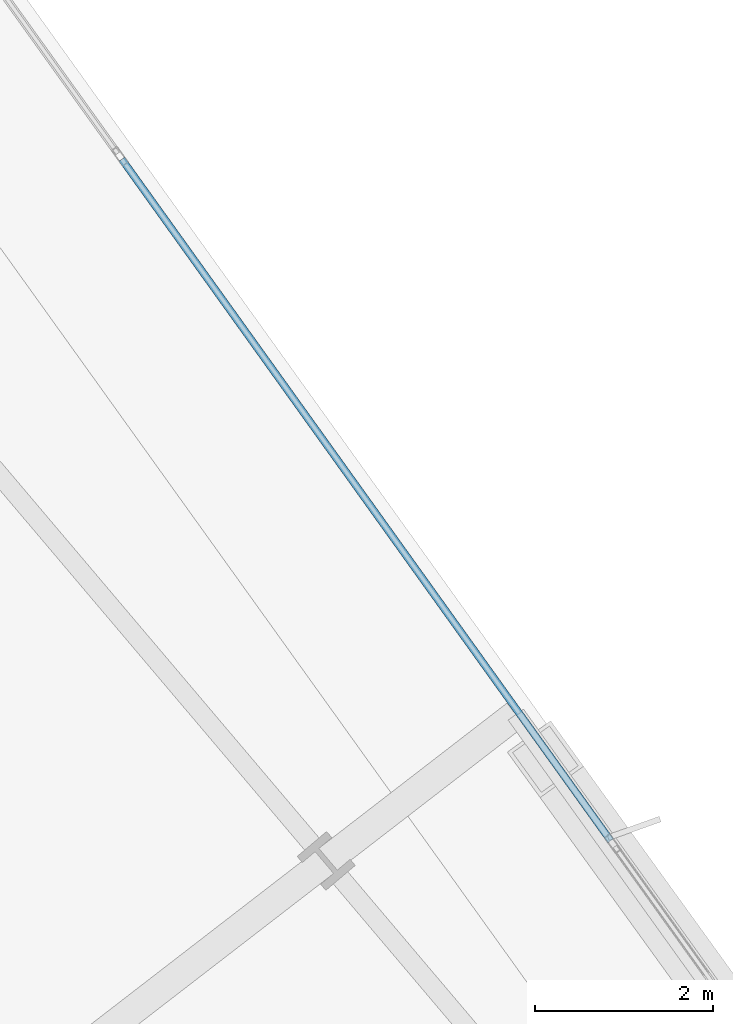
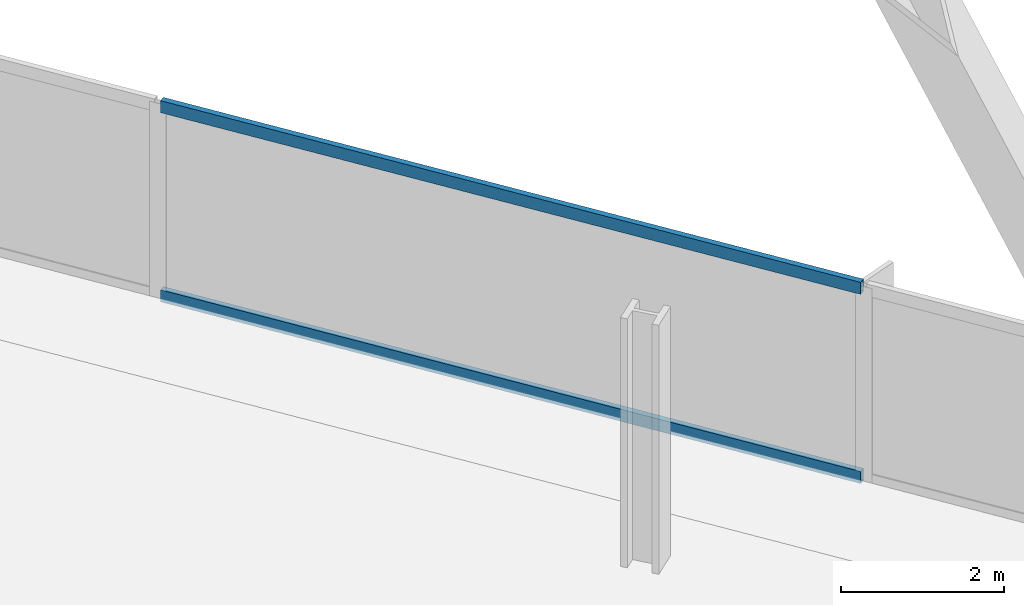
# One storey, part 22 of 33: 2 members, 1 element without a shape of its own.
"""IFC4 building model written with IfcOpenShell, lengths in metres."""

from ifc_helpers import new_model, si_unit, direction, frame, origin, origin_2d, place, context, subcontext, project, spatial, hollow_rectangle, extrude, material, material_profile, profile_set, type_object, element, aggregate, save


model = new_model("IFC4")

# Units and contexts
model_context = context("Model", 3, precision=1e-05, world=origin(), true_north=direction((0.0, 1.0)))
body_context = subcontext(model_context, "Body", "Model", "MODEL_VIEW")
ifc_project = project(units=[si_unit("LENGTHUNIT", "METRE"), si_unit("AREAUNIT", "SQUARE_METRE"), si_unit("VOLUMEUNIT", "CUBIC_METRE"), si_unit("PLANEANGLEUNIT", "RADIAN"), si_unit("MASSUNIT", "GRAM", prefix="KILO")], contexts=[model_context])

# Site, building, storey
site_placement = place(None, origin())
site = spatial("IfcSite", under=ifc_project, at=site_placement, CompositionType="ELEMENT")
building_placement = place(site_placement, origin())
building = spatial("IfcBuilding", under=site, at=building_placement, Name="Haldenkirk Collegiate Tower", CompositionType="ELEMENT")
storey_placement = place(building_placement, frame((0.0, 0.0, 148.199951171875)))
storey = spatial("IfcBuildingStorey", under=building, at=storey_placement, Name="L36", CompositionType="ELEMENT", Elevation=148.199951171875)

# Curtain wall, members
ifc_material = material(Name="Anodised architectural bronze aluminium", Category="aluminium")
curtain_wall_type = type_object("IfcCurtainWallType", Name="CW-SYS1-CONVEX-LOW", PredefinedType="USERDEFINED", material=ifc_material)
curtain_wall_placement = place(storey_placement, origin())
curtain_wall = element("IfcCurtainWall", 1, at=curtain_wall_placement, inside=storey, type_object=curtain_wall_type, Name="L36 Lower tower convex bronze-framed unitised curtain wall", ObjectType="UNITISED CURTAIN WALL", PredefinedType="USERDEFINED")
ifc_material_profile = material_profile(ifc_material, hollow_rectangle(XDim=0.080078125, YDim=0.179931640625, WallThickness=0.0048828125, at=origin_2d()), Name="CW-TRN-1A")
ifc_profile_set = profile_set([ifc_material_profile], Name="Anodised architectural bronze aluminium")
member_type = type_object("IfcMemberType", Name="CW-TRN-1A", PredefinedType="USERDEFINED", material=ifc_profile_set)
member_1_placement = place(storey_placement, frame((50.875732421875, 48.188232421875, 0.0400390625), z_axis=(0.582833104386, -0.812591885531, 0.0), x_axis=(0.812591885531, 0.582833104386, 0.0)))
member_1 = element("IfcMember", 2, at=member_1_placement, type_object=member_type, Name="CW-1A transom 2.1", ObjectType="TRANSOM", PredefinedType="USERDEFINED", context=body_context, shape_type="SweptSolid", body=[
    extrude(hollow_rectangle(XDim=0.080078125, YDim=0.179931640625, WallThickness=0.0048828125, at=origin_2d()), origin(), (0.0, 0.0, 1.0), 9.419921875),
])
member_2_placement = place(storey_placement, frame((50.875732421875, 48.188232421875, 2.87109375), z_axis=(0.582833104386, -0.812591885531, 0.0), x_axis=(0.812591885531, 0.582833104386, 0.0)))
member_2 = element("IfcMember", 3, at=member_2_placement, type_object=member_type, Name="CW-1A transom 2.2", ObjectType="TRANSOM", PredefinedType="USERDEFINED", context=body_context, shape_type="SweptSolid", body=[
    extrude(hollow_rectangle(XDim=0.080078125, YDim=0.179931640625, WallThickness=0.0048828125, at=origin_2d()), origin(), (0.0, 0.0, 1.0), 9.419921875),
])
aggregate(curtain_wall, [member_1, member_2])

save(model, "model.ifc")
